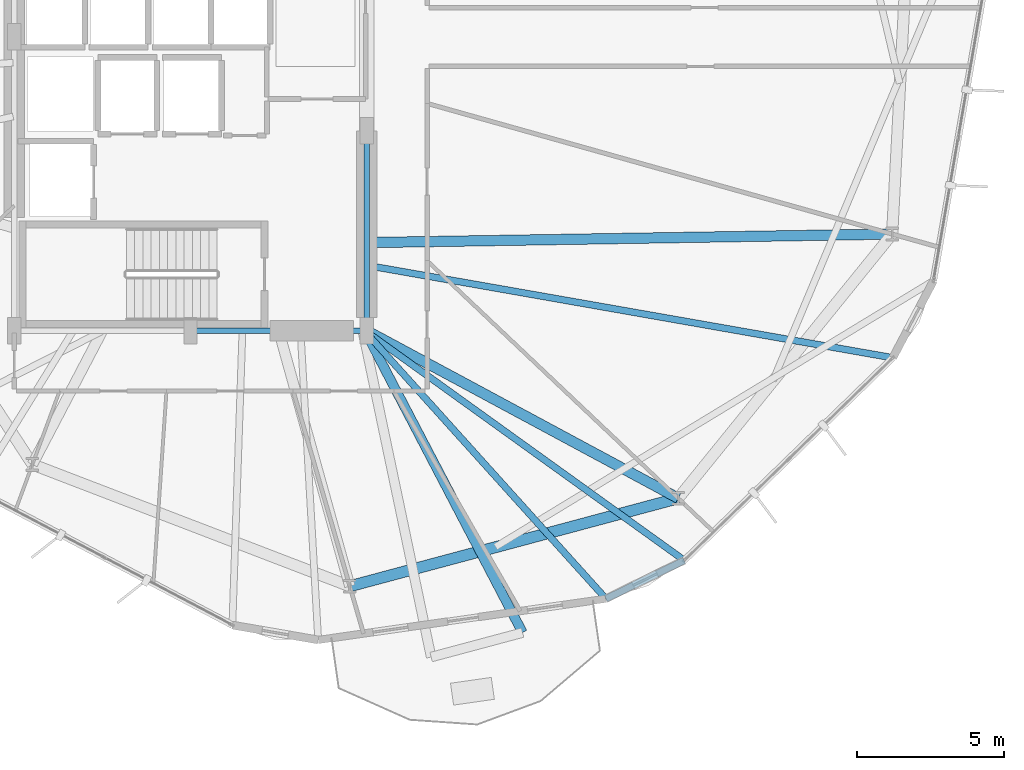
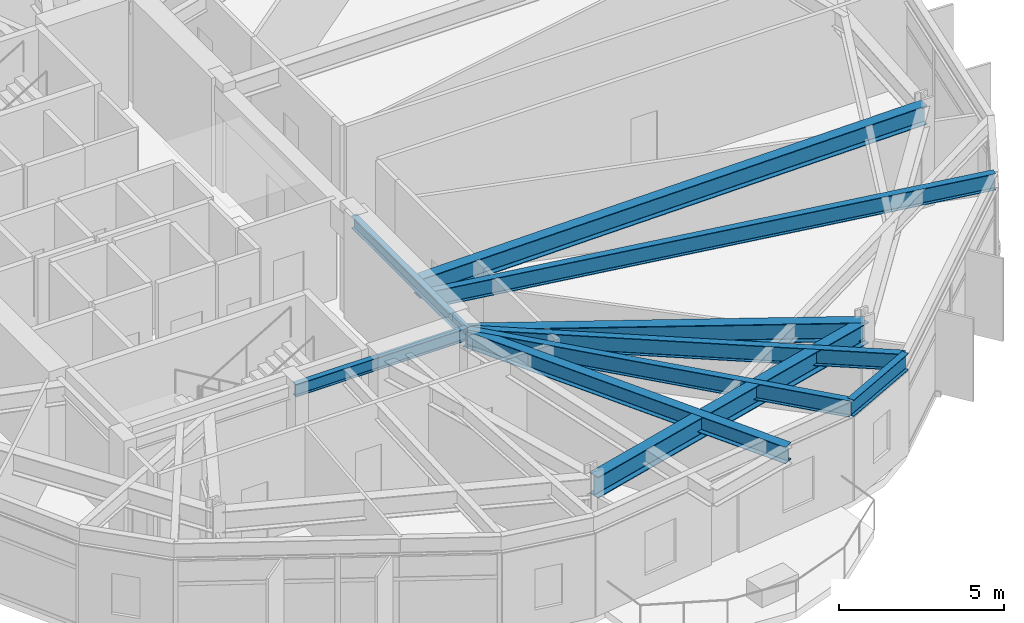
# One storey, part 5 of 22: 10 beams.
"""IFC4 building model written with IfcOpenShell, lengths in metres."""

from ifc_helpers import new_model, si_unit, direction, frame, origin, origin_2d, place, context, subcontext, project, spatial, i_section, extrude, material, material_profile, profile_set, type_object, element, save


model = new_model("IFC4")

# Units and contexts
model_context = context("Model", 3, precision=1e-05, world=origin(), true_north=direction((0.0, 1.0)))
body_context = subcontext(model_context, "Body", "Model", "MODEL_VIEW")
ifc_project = project(units=[si_unit("LENGTHUNIT", "METRE"), si_unit("AREAUNIT", "SQUARE_METRE"), si_unit("VOLUMEUNIT", "CUBIC_METRE"), si_unit("PLANEANGLEUNIT", "RADIAN"), si_unit("MASSUNIT", "GRAM", prefix="KILO")], contexts=[model_context])

# Site, building, storey
site_placement = place(None, origin())
site = spatial("IfcSite", under=ifc_project, at=site_placement, CompositionType="ELEMENT")
building_placement = place(site_placement, origin())
building = spatial("IfcBuilding", under=site, at=building_placement, Name="Soratama Intermodal Tower", CompositionType="ELEMENT")
storey_placement = place(building_placement, frame((0.0, 0.0, 58.60009765625)))
storey = spatial("IfcBuildingStorey", under=building, at=storey_placement, Name="L13", CompositionType="ELEMENT", Elevation=58.60009765625)

# Beams
ifc_material_1 = material(Name="Structural steel ASTM A992 Grade 50", Category="steel")
ifc_material_profile_1 = material_profile(ifc_material_1, i_section(OverallWidth=0.324951171875, OverallDepth=0.615966796875, WebThickness=0.013916015625, FlangeThickness=0.021484375, FilletRadius=0.013916015625, at=origin_2d()), Name="W24X117")
ifc_profile_set_1 = profile_set([ifc_material_profile_1], Name="Structural steel ASTM A992 Grade 50")
beam_type_1 = type_object("IfcBeamType", Name="BM-CANT-W24X117", PredefinedType="BEAM", material=ifc_profile_set_1)
beam_1_placement = place(storey_placement, frame((44.551025390625, 14.965087890625, 3.391845703125), z_axis=(0.463030447828, -0.886342374246, 0.0), x_axis=(0.886342374246, 0.463030447828, 0.0)))
element("IfcBeam", 1, at=beam_1_placement, inside=storey, type_object=beam_type_1, Name="BM-L13-CANT-3-2", PredefinedType="BEAM", context=body_context, shape_type="SweptSolid", body=[
    extrude(i_section(OverallWidth=0.324951171875, OverallDepth=0.615966796875, WebThickness=0.013916015625, FlangeThickness=0.021484375, FilletRadius=0.013916015625, at=origin_2d()), origin(), (0.0, 0.0, 1.0), 11.5498046875),
])
ifc_material_2 = material(Name="Structural steel ASTM A992 Grade 50", Category="steel")
ifc_material_profile_2 = material_profile(ifc_material_2, i_section(OverallWidth=0.19091796875, OverallDepth=0.4599609375, WebThickness=0.010009765625, FlangeThickness=0.01611328125, FilletRadius=0.010986328125, at=origin_2d()), Name="W18X55")
ifc_profile_set_2 = profile_set([ifc_material_profile_2], Name="Structural steel ASTM A992 Grade 50")
beam_type_2 = type_object("IfcBeamType", Name="BM-FLR-W18X55", PredefinedType="BEAM", material=ifc_profile_set_2)
beam_2_placement = place(storey_placement, frame((38.60009765625, 15.0, 3.469970703125), z_axis=(1.0, 0.0, 0.0), x_axis=(0.0, 1.0, 0.0)))
element("IfcBeam", 2, at=beam_2_placement, inside=storey, type_object=beam_type_2, Name="BM-L13-CRING-02", PredefinedType="BEAM", context=body_context, shape_type="SweptSolid", body=[
    extrude(i_section(OverallWidth=0.19091796875, OverallDepth=0.4599609375, WebThickness=0.010009765625, FlangeThickness=0.01611328125, FilletRadius=0.010986328125, at=origin_2d()), origin(), (0.0, 0.0, 1.0), 6.0),
])
beam_3_placement = place(storey_placement, frame((44.60009765625, 15.0, 3.469970703125), z_axis=(0.0, 1.0, 0.0), x_axis=(-1.0, 0.0, 0.0)))
element("IfcBeam", 3, at=beam_3_placement, inside=storey, type_object=beam_type_2, Name="BM-L13-CRING-03", PredefinedType="BEAM", context=body_context, shape_type="SweptSolid", body=[
    extrude(i_section(OverallWidth=0.19091796875, OverallDepth=0.4599609375, WebThickness=0.010009765625, FlangeThickness=0.01611328125, FilletRadius=0.010986328125, at=origin_2d()), origin(), (0.0, 0.0, 1.0), 6.800048828125),
])
ifc_material_3 = material(Name="Structural steel ASTM A992 Grade 50", Category="steel")
ifc_material_profile_3 = material_profile(ifc_material_3, i_section(OverallWidth=0.35498046875, OverallDepth=0.695068359375, WebThickness=0.015380859375, FlangeThickness=0.02490234375, FilletRadius=0.01611328125, at=origin_2d()), Name="W27X146")
ifc_profile_set_3 = profile_set([ifc_material_profile_3], Name="Structural steel ASTM A992 Grade 50")
beam_type_3 = type_object("IfcBeamType", Name="BM-RING-W27X146", PredefinedType="BEAM", material=ifc_profile_set_3)
beam_4_placement = place(storey_placement, frame((44.60009765625, 15.0, 3.352294921875), z_axis=(0.880663887759, -0.473741613961, 0.0), x_axis=(0.473741613961, 0.880663887759, 0.0)))
element("IfcBeam", 4, at=beam_4_placement, inside=storey, type_object=beam_type_3, Name="BM-L13-RAD-09", PredefinedType="BEAM", context=body_context, shape_type="SweptSolid", body=[
    extrude(i_section(OverallWidth=0.35498046875, OverallDepth=0.695068359375, WebThickness=0.015380859375, FlangeThickness=0.02490234375, FilletRadius=0.01611328125, at=origin_2d()), origin(), (0.0, 0.0, 1.0), 12.03173828125),
])
beam_5_placement = place(storey_placement, frame((44.60009765625, 18.0, 3.352294921875), z_axis=(0.999867526408, 0.016276659176, 0.0), x_axis=(-0.016276659176, 0.999867526408, 0.0)))
element("IfcBeam", 5, at=beam_5_placement, inside=storey, type_object=beam_type_3, Name="BM-L13-RAD-10", PredefinedType="BEAM", context=body_context, shape_type="SweptSolid", body=[
    extrude(i_section(OverallWidth=0.35498046875, OverallDepth=0.695068359375, WebThickness=0.015380859375, FlangeThickness=0.02490234375, FilletRadius=0.01611328125, at=origin_2d()), origin(), (0.0, 0.0, 1.0), 17.87939453125),
])
ifc_material_4 = material(Name="Structural steel ASTM A992 Grade 50", Category="steel")
ifc_material_profile_4 = material_profile(ifc_material_4, i_section(OverallWidth=0.382080078125, OverallDepth=0.779052734375, WebThickness=0.01806640625, FlangeThickness=0.030029296875, FilletRadius=0.01806640625, at=origin_2d()), Name="W30X191")
ifc_profile_set_4 = profile_set([ifc_material_profile_4], Name="Structural steel ASTM A992 Grade 50")
beam_type_4 = type_object("IfcBeamType", Name="BM-RING-W30X191", PredefinedType="BEAM", material=ifc_profile_set_4)
beam_6_placement = place(storey_placement, frame((44.02001953125, 6.305908203125, 3.310302734375), z_axis=(0.965935902196, 0.258781438376, 0.0), x_axis=(-0.258781438376, 0.965935902196, 0.0)))
element("IfcBeam", 6, at=beam_6_placement, inside=storey, type_object=beam_type_4, Name="BM-L13-RING-08", PredefinedType="BEAM", context=body_context, shape_type="SweptSolid", body=[
    extrude(i_section(OverallWidth=0.382080078125, OverallDepth=0.779052734375, WebThickness=0.01806640625, FlangeThickness=0.030029296875, FilletRadius=0.01806640625, at=origin_2d()), origin(), (0.0, 0.0, 1.0), 11.570068359375),
])
ifc_material_5 = material(Name="Structural steel ASTM A992 Grade 50", Category="steel")
ifc_material_profile_5 = material_profile(ifc_material_5, i_section(OverallWidth=0.22900390625, OverallDepth=0.612060546875, WebThickness=0.011962890625, FlangeThickness=0.01953125, FilletRadius=0.012939453125, at=origin_2d()), Name="W24X84")
ifc_profile_set_5 = profile_set([ifc_material_profile_5], Name="Structural steel ASTM A992 Grade 50")
beam_type_5 = type_object("IfcBeamType", Name="BM-SPN-W24X84", PredefinedType="SPANDREL", material=ifc_profile_set_5)
beam_7_placement = place(storey_placement, frame((52.739013671875, 5.87890625, 3.393798828125), z_axis=(0.897564609266, 0.440882946136, 0.0), x_axis=(-0.440882946136, 0.897564609266, 0.0)))
element("IfcBeam", 7, at=beam_7_placement, inside=storey, type_object=beam_type_5, Name="BS-L13-CRN08", PredefinedType="SPANDREL", context=body_context, shape_type="SweptSolid", body=[
    extrude(i_section(OverallWidth=0.22900390625, OverallDepth=0.612060546875, WebThickness=0.011962890625, FlangeThickness=0.01953125, FilletRadius=0.012939453125, at=origin_2d()), origin(), (0.0, 0.0, 1.0), 2.967041015625),
])
ifc_material_6 = material(Name="Structural steel ASTM A992 Grade 50", Category="steel")
ifc_material_profile_6 = material_profile(ifc_material_6, i_section(OverallWidth=0.22900390625, OverallDepth=0.612060546875, WebThickness=0.011962890625, FlangeThickness=0.01953125, FilletRadius=0.012939453125, at=origin_2d()), Name="W24X84")
ifc_profile_set_6 = profile_set([ifc_material_profile_6], Name="Structural steel ASTM A992 Grade 50")
beam_type_6 = type_object("IfcBeamType", Name="BM-TIE-W24X84", PredefinedType="BEAM", material=ifc_profile_set_6)
beam_8_placement = place(storey_placement, frame((44.54296875, 14.969970703125, 3.393798828125), z_axis=(0.669600327989, -0.742721617268, 0.0), x_axis=(0.742721617268, 0.669600327989, 0.0)))
element("IfcBeam", 8, at=beam_8_placement, inside=storey, type_object=beam_type_6, Name="BM-L13-TIE1-08", PredefinedType="BEAM", context=body_context, shape_type="SweptSolid", body=[
    extrude(i_section(OverallWidth=0.22900390625, OverallDepth=0.612060546875, WebThickness=0.011962890625, FlangeThickness=0.01953125, FilletRadius=0.012939453125, at=origin_2d()), origin(), (0.0, 0.0, 1.0), 12.240234375),
])
beam_9_placement = place(storey_placement, frame((44.569091796875, 14.97705078125, 3.393798828125), z_axis=(0.811879858867, -0.583824541079, 0.0), x_axis=(0.583824541079, 0.811879858867, 0.0)))
element("IfcBeam", 9, at=beam_9_placement, inside=storey, type_object=beam_type_6, Name="BM-L13-TIE0-09", PredefinedType="BEAM", context=body_context, shape_type="SweptSolid", body=[
    extrude(i_section(OverallWidth=0.22900390625, OverallDepth=0.612060546875, WebThickness=0.011962890625, FlangeThickness=0.01953125, FilletRadius=0.012939453125, at=origin_2d()), origin(), (0.0, 0.0, 1.0), 13.343017578125),
])
beam_10_placement = place(storey_placement, frame((44.638916015625, 17.218017578125, 3.393798828125), z_axis=(0.984915551067, -0.173035710956, 0.0), x_axis=(0.173035710956, 0.984915551067, 0.0)))
element("IfcBeam", 10, at=beam_10_placement, inside=storey, type_object=beam_type_6, Name="BM-L13-TIE1-09", PredefinedType="BEAM", context=body_context, shape_type="SweptSolid", body=[
    extrude(i_section(OverallWidth=0.22900390625, OverallDepth=0.612060546875, WebThickness=0.011962890625, FlangeThickness=0.01953125, FilletRadius=0.012939453125, at=origin_2d()), origin(), (0.0, 0.0, 1.0), 18.134521484375),
])

save(model, "model.ifc")
